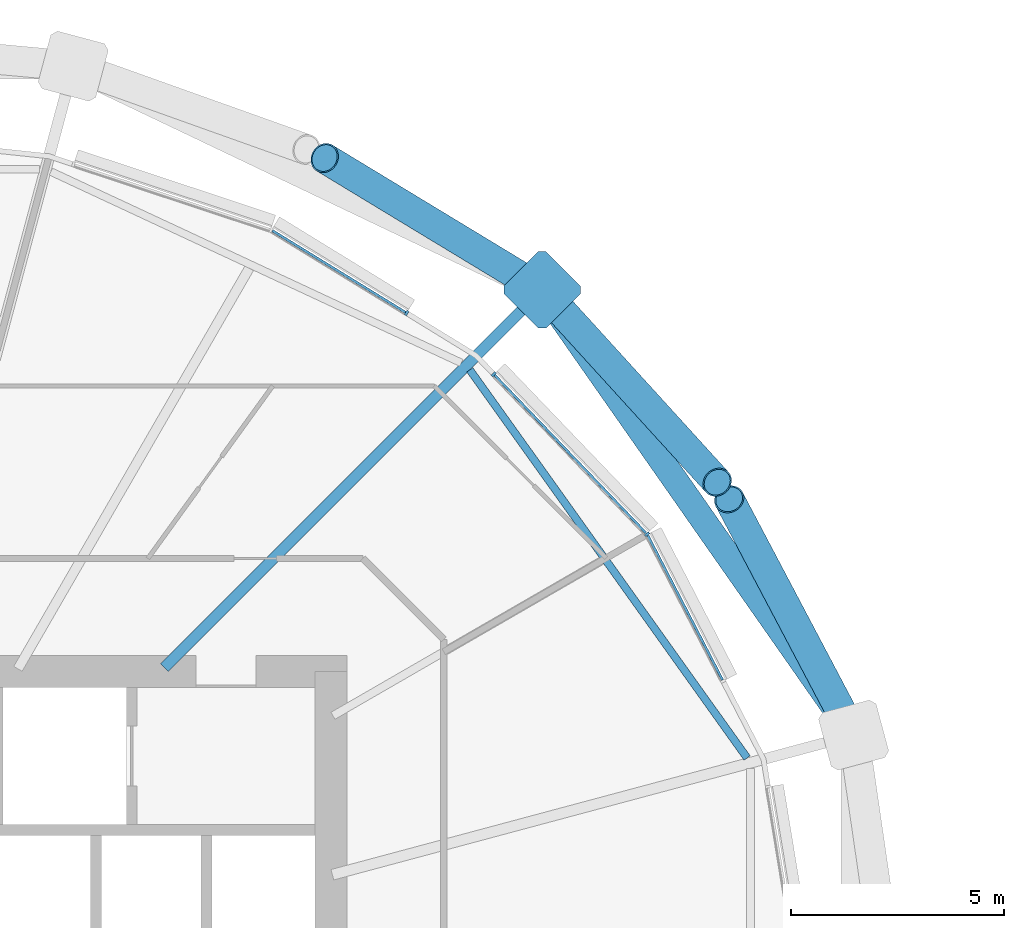
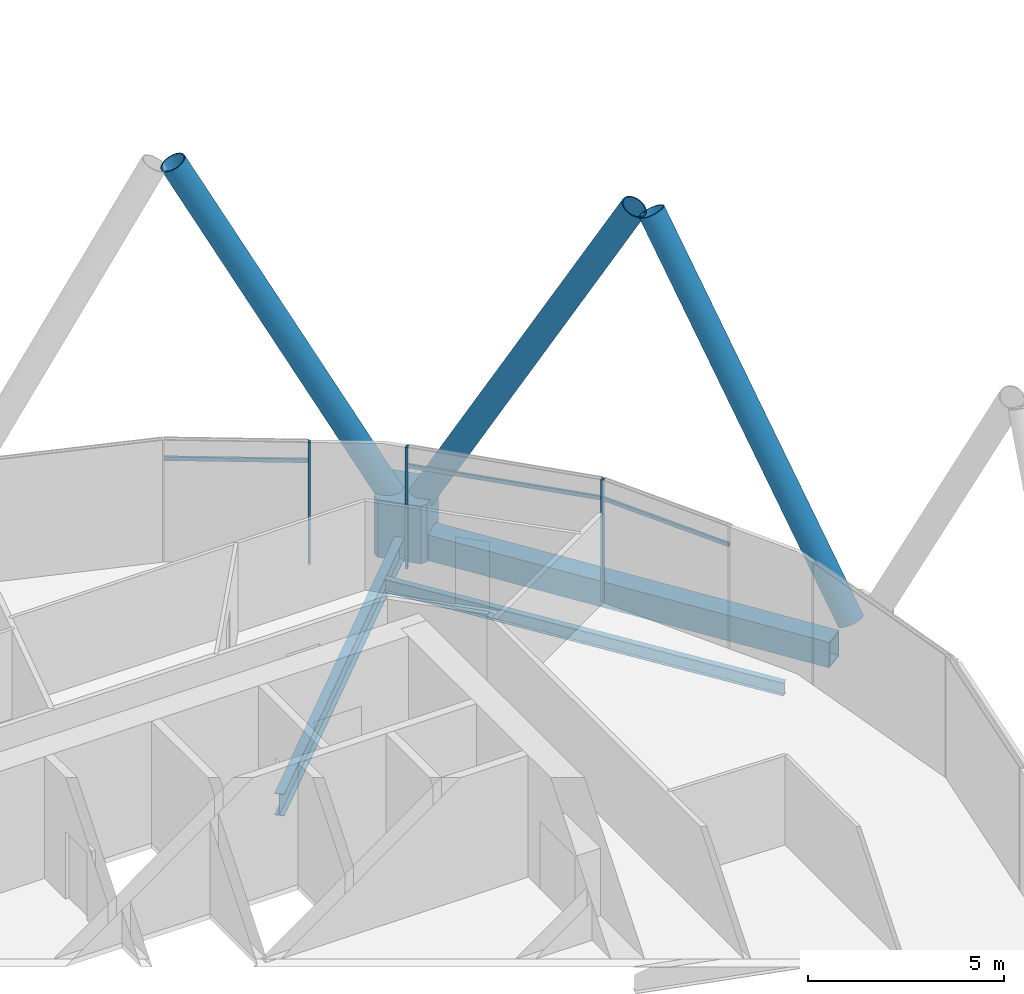
# One storey, part 14 of 39: 10 members, 3 beams, 1 element without a shape of its own.
"""IFC4 building model written with IfcOpenShell, lengths in metres."""

from ifc_helpers import new_model, si_unit, direction, frame, origin, origin_2d, place, context, subcontext, project, spatial, polyline, rectangle, hollow_rectangle, hollow_circle, i_section, outline, extrude, material, material_profile, profile_set, type_object, element, aggregate, save


model = new_model("IFC4")

# Units and contexts
model_context = context("Model", 3, precision=1e-05, world=origin(), true_north=direction((0.0, 1.0)))
body_context = subcontext(model_context, "Body", "Model", "MODEL_VIEW")
ifc_project = project(units=[si_unit("LENGTHUNIT", "METRE"), si_unit("AREAUNIT", "SQUARE_METRE"), si_unit("VOLUMEUNIT", "CUBIC_METRE"), si_unit("PLANEANGLEUNIT", "RADIAN"), si_unit("MASSUNIT", "GRAM", prefix="KILO")], contexts=[model_context])

# Site, building, storey
site_placement = place(None, origin())
site = spatial("IfcSite", under=ifc_project, at=site_placement, CompositionType="ELEMENT")
building_placement = place(site_placement, origin())
building = spatial("IfcBuilding", under=site, at=building_placement, Name="Rimbun Link Towers", CompositionType="ELEMENT")
storey_placement = place(building_placement, frame((0.0, 0.0, 115.800048828125)))
storey = spatial("IfcBuildingStorey", under=building, at=storey_placement, Name="L28", CompositionType="ELEMENT", Elevation=115.800048828125)

# Curtain wall, members
ifc_material_1 = material(Name="Aluminium 6063-T6 and low-iron glass", Category="aluminium")
curtain_wall_type = type_object("IfcCurtainWallType", Name="CW1-Z2 unitised vision wall (zone 2)", PredefinedType="NOTDEFINED", material=ifc_material_1)
curtain_wall_placement = place(storey_placement, origin())
curtain_wall = element("IfcCurtainWall", 1, at=curtain_wall_placement, inside=storey, type_object=curtain_wall_type, Name="CW1 L28 T1", PredefinedType="NOTDEFINED")
ifc_material_2 = material(Name="Aluminium 6063-T6", Category="aluminium")
ifc_material_profile_1 = material_profile(ifc_material_2, rectangle(XDim=0.1201171875, YDim=0.06005859375, at=origin_2d()), Name="MULLION 60X120")
ifc_profile_set_1 = profile_set([ifc_material_profile_1], Name="Aluminium 6063-T6")
member_type_1 = type_object("IfcMemberType", Name="CW1 mullion 60X120", PredefinedType="MULLION", material=ifc_profile_set_1)
member_1_placement = place(storey_placement, frame((-12.32763671875, 11.22021484375, 0.0), z_axis=(0.0, 0.0, 1.0), x_axis=(0.813347990418, 0.581777488807, 0.0)))
member_1 = element("IfcMember", 2, at=member_1_placement, type_object=member_type_1, Name="CW1 mullion", PredefinedType="MULLION", context=body_context, shape_type="SweptSolid", body=[
    extrude(rectangle(XDim=0.1201171875, YDim=0.06005859375, at=origin_2d()), origin(), (0.0, 0.0, 1.0), 3.800048828125),
])
member_2_placement = place(storey_placement, frame((-15.92578125, 14.97412109375, 0.0), z_axis=(0.0, 0.0, 1.0), x_axis=(0.721834717261, 0.692065488922, 0.0)))
member_2 = element("IfcMember", 3, at=member_2_placement, type_object=member_type_1, Name="CW1 mullion", PredefinedType="MULLION", context=body_context, shape_type="SweptSolid", body=[
    extrude(rectangle(XDim=0.1201171875, YDim=0.06005859375, at=origin_2d()), origin(), (0.0, 0.0, 1.0), 3.800048828125),
])
member_3_placement = place(storey_placement, frame((-17.97216796875, 16.410888671875, 0.0), z_axis=(0.0, 0.0, 1.0), x_axis=(0.523243332621, 0.852183322336, 0.0)))
member_3 = element("IfcMember", 4, at=member_3_placement, type_object=member_type_1, Name="CW1 mullion", PredefinedType="MULLION", context=body_context, shape_type="SweptSolid", body=[
    extrude(rectangle(XDim=0.1201171875, YDim=0.06005859375, at=origin_2d()), origin(), (0.0, 0.0, 1.0), 3.800048828125),
])
ifc_material_3 = material(Name="Aluminium 6063-T6", Category="aluminium")
ifc_material_profile_2 = material_profile(ifc_material_3, rectangle(XDim=0.06005859375, YDim=0.1201171875, at=origin_2d()), Name="TRANSOM 60X120")
ifc_profile_set_2 = profile_set([ifc_material_profile_2], Name="Aluminium 6063-T6")
member_type_2 = type_object("IfcMemberType", Name="CW1 transom 60X120", PredefinedType="USERDEFINED", material=ifc_profile_set_2)
member_4_placement = place(storey_placement, frame((-12.311279296875, 11.185302734375, 3.199951171875), z_axis=(0.459527309955, -0.888163639993, 0.0), x_axis=(0.888163639993, 0.459527309955, 0.0)))
member_4 = element("IfcMember", 5, at=member_4_placement, type_object=member_type_2, Name="CW1 transom", ObjectType="TRANSOM", PredefinedType="USERDEFINED", context=body_context, shape_type="SweptSolid", body=[
    extrude(rectangle(XDim=0.06005859375, YDim=0.1201171875, at=origin_2d()), origin(), (0.0, 0.0, 1.0), 3.8173828125),
])
member_5_placement = place(storey_placement, frame((-15.906494140625, 14.950927734375, 3.199951171875), z_axis=(0.692057260801, -0.721842605955, 0.0), x_axis=(0.721842605955, 0.692057260801, 0.0)))
member_5 = element("IfcMember", 6, at=member_5_placement, type_object=member_type_2, Name="CW1 transom", ObjectType="TRANSOM", PredefinedType="USERDEFINED", context=body_context, shape_type="SweptSolid", body=[
    extrude(rectangle(XDim=0.06005859375, YDim=0.1201171875, at=origin_2d()), origin(), (0.0, 0.0, 1.0), 5.131103515625),
])
member_6_placement = place(storey_placement, frame((-21.123046875, 18.34326171875, 3.199951171875), z_axis=(0.852165495326, -0.523272365576, 0.0), x_axis=(0.523272365576, 0.852165495326, 0.0)))
member_6 = element("IfcMember", 7, at=member_6_placement, type_object=member_type_2, Name="CW1 transom", ObjectType="TRANSOM", PredefinedType="USERDEFINED", context=body_context, shape_type="SweptSolid", body=[
    extrude(rectangle(XDim=0.06005859375, YDim=0.1201171875, at=origin_2d()), origin(), (0.0, 0.0, 1.0), 3.666259765625),
])
aggregate(curtain_wall, [member_1, member_2, member_3, member_4, member_5, member_6])

# Members
ifc_material_4 = material(Name="Steel S460NH", Category="steel")
ifc_material_profile_3 = material_profile(ifc_material_4, hollow_circle(Radius=0.355712890625, WallThickness=0.031982421875, at=origin_2d()), Name="Diagrid diagonal CHS 711x32")
ifc_profile_set_3 = profile_set([ifc_material_profile_3], Name="Steel S460NH")
member_type_3 = type_object("IfcMemberType", Name="Diagrid diagonal CHS 711x32", PredefinedType="BRACE", material=ifc_profile_set_3)
member_7_placement = place(storey_placement, frame((-7.594970703125, 6.722412109375, 0.43408203125), z_axis=(-0.231395162047, 0.43847108312, 0.868446537358), x_axis=(-0.884401514252, -0.466726859725, 0.0)))
element("IfcMember", 8, at=member_7_placement, inside=storey, type_object=member_type_3, Name="Diagrid diagonal T1 L28-L31 01b", PredefinedType="BRACE", context=body_context, shape_type="SweptSolid", body=[
    extrude(hollow_circle(Radius=0.355712890625, WallThickness=0.031982421875, at=origin_2d()), origin(), (0.0, 0.0, 1.0), 12.127197265625),
])
member_8_placement = place(storey_placement, frame((-14.629638671875, 16.776611328125, 0.436767578125), z_axis=(0.327702776931, -0.359956428917, 0.873522901401), x_axis=(0.739459655937, 0.673200874362, 0.0)))
element("IfcMember", 9, at=member_8_placement, inside=storey, type_object=member_type_3, Name="Diagrid diagonal T1 L28-L31 03a", PredefinedType="BRACE", context=body_context, shape_type="SweptSolid", body=[
    extrude(hollow_circle(Radius=0.355712890625, WallThickness=0.031982421875, at=origin_2d()), origin(), (0.0, 0.0, 1.0), 12.050537109375),
])
member_9_placement = place(storey_placement, frame((-14.997802734375, 17.08056640625, 0.43896484375), z_axis=(-0.408995593079, 0.247871177032, 0.878226898038), x_axis=(-0.518294161514, -0.855202410041, 0.0)))
element("IfcMember", 10, at=member_9_placement, inside=storey, type_object=member_type_3, Name="Diagrid diagonal T1 L28-L31 03b", PredefinedType="BRACE", context=body_context, shape_type="SweptSolid", body=[
    extrude(hollow_circle(Radius=0.355712890625, WallThickness=0.031982421875, at=origin_2d()), origin(), (0.0, 0.0, 1.0), 11.98095703125),
])
ifc_material_5 = material(Name="Cast steel G20Mn5+QT, Rp0.2 300 MPa", Category="steel")
ifc_material_profile_4 = material_profile(ifc_material_5, outline(polyline([(0.699951171875, -0.570068359375), (0.699951171875, 0.570068359375), (0.570068359375, 0.699951171875), (-0.570068359375, 0.699951171875), (-0.699951171875, 0.570068359375), (-0.699951171875, -0.570068359375), (-0.570068359375, -0.699951171875), (0.570068359375, -0.699951171875), (0.699951171875, -0.570068359375)])), Name="NODE 1400x1400")
ifc_profile_set_4 = profile_set([ifc_material_profile_4], Name="Cast steel G20Mn5+QT, Rp0.2 300 MPa")
member_type_4 = type_object("IfcMemberType", Name="Diagrid node cast 1400", PredefinedType="USERDEFINED", material=ifc_profile_set_4)
member_10_placement = place(storey_placement, frame((-14.79345703125, 16.95654296875, -0.900146484375), z_axis=(0.0, 0.0, 1.0), x_axis=(0.707106781187, 0.707106781187, 0.0)))
element("IfcMember", 11, at=member_10_placement, inside=storey, type_object=member_type_4, Name="Diagrid node L28 03", ObjectType="Diagrid node", PredefinedType="USERDEFINED", context=body_context, shape_type="SweptSolid", body=[
    extrude(outline(polyline([(0.699951171875, -0.570068359375), (0.699951171875, 0.570068359375), (0.570068359375, 0.699951171875), (-0.570068359375, 0.699951171875), (-0.699951171875, 0.570068359375), (-0.699951171875, -0.570068359375), (-0.570068359375, -0.699951171875), (0.570068359375, -0.699951171875), (0.699951171875, -0.570068359375)])), origin(), (0.0, 0.0, 1.0), 1.800048828125),
])

# Beams
ifc_material_6 = material(Name="Steel S355J2", Category="steel")
ifc_material_profile_5 = material_profile(ifc_material_6, hollow_rectangle(XDim=0.60009765625, YDim=0.800048828125, WallThickness=0.0400390625, at=origin_2d()), Name="Exoskeleton ring girder BOX 600x800x40")
ifc_profile_set_5 = profile_set([ifc_material_profile_5], Name="Steel S355J2")
beam_type_1 = type_object("IfcBeamType", Name="Exoskeleton ring girder BOX 600x800x40", PredefinedType="BEAM", material=ifc_profile_set_5)
beam_1_placement = place(storey_placement, frame((-7.880615234375, 7.076904296875, -0.56005859375), z_axis=(-0.573294988237, 0.819349044341, 0.0), x_axis=(-0.819349044341, -0.573294988237, 0.0)))
element("IfcBeam", 12, at=beam_1_placement, inside=storey, type_object=beam_type_1, Name="Exoskeleton ring girder L28 00", PredefinedType="BEAM", context=body_context, shape_type="SweptSolid", body=[
    extrude(hollow_rectangle(XDim=0.60009765625, YDim=0.800048828125, WallThickness=0.0400390625, at=origin_2d()), origin(), (0.0, 0.0, 1.0), 11.35791015625),
])
ifc_material_7 = material(Name="Steel S355J2", Category="steel")
ifc_material_profile_6 = material_profile(ifc_material_7, i_section(OverallWidth=0.177978515625, OverallDepth=0.406494140625, WebThickness=0.0078125, FlangeThickness=0.0126953125, at=origin_2d()), Name="UB 406x178x60")
ifc_profile_set_6 = profile_set([ifc_material_profile_6], Name="Steel S355J2")
beam_type_2 = type_object("IfcBeamType", Name="UB 406x178x60", PredefinedType="BEAM", material=ifc_profile_set_6)
beam_2_placement = place(storey_placement, frame((-9.979248046875, 5.9658203125, -0.36328125), z_axis=(-0.581386649212, 0.813627411115, 0.0), x_axis=(-0.813627411115, -0.581386649212, 0.0)))
element("IfcBeam", 13, at=beam_2_placement, inside=storey, type_object=beam_type_2, Name="Edge beam T1 L28 01-03", PredefinedType="BEAM", context=body_context, shape_type="SweptSolid", body=[
    extrude(i_section(OverallWidth=0.177978515625, OverallDepth=0.406494140625, WebThickness=0.0078125, FlangeThickness=0.0126953125, at=origin_2d()), origin(), (0.0, 0.0, 1.0), 11.199951171875),
])
ifc_material_8 = material(Name="Steel S355J2", Category="steel")
ifc_material_profile_7 = material_profile(ifc_material_8, i_section(OverallWidth=0.253662109375, OverallDepth=0.68359375, WebThickness=0.012451171875, FlangeThickness=0.01904296875, at=origin_2d()), Name="UB 686x254x140")
ifc_profile_set_7 = profile_set([ifc_material_profile_7], Name="Steel S355J2")
beam_type_3 = type_object("IfcBeamType", Name="UB 686x254x140", PredefinedType="BEAM", material=ifc_profile_set_7)
beam_3_placement = place(storey_placement, frame((-23.65966796875, 8.09033203125, -0.501953125), z_axis=(0.707106781187, 0.707106781187, 0.0), x_axis=(-0.707106781187, 0.707106781187, 0.0)))
element("IfcBeam", 14, at=beam_3_placement, inside=storey, type_object=beam_type_3, Name="Radial beam T1 L28 03", PredefinedType="BEAM", context=body_context, shape_type="SweptSolid", body=[
    extrude(i_section(OverallWidth=0.253662109375, OverallDepth=0.68359375, WebThickness=0.012451171875, FlangeThickness=0.01904296875, at=origin_2d()), origin(), (0.0, 0.0, 1.0), 12.038818359375),
])

save(model, "model.ifc")
